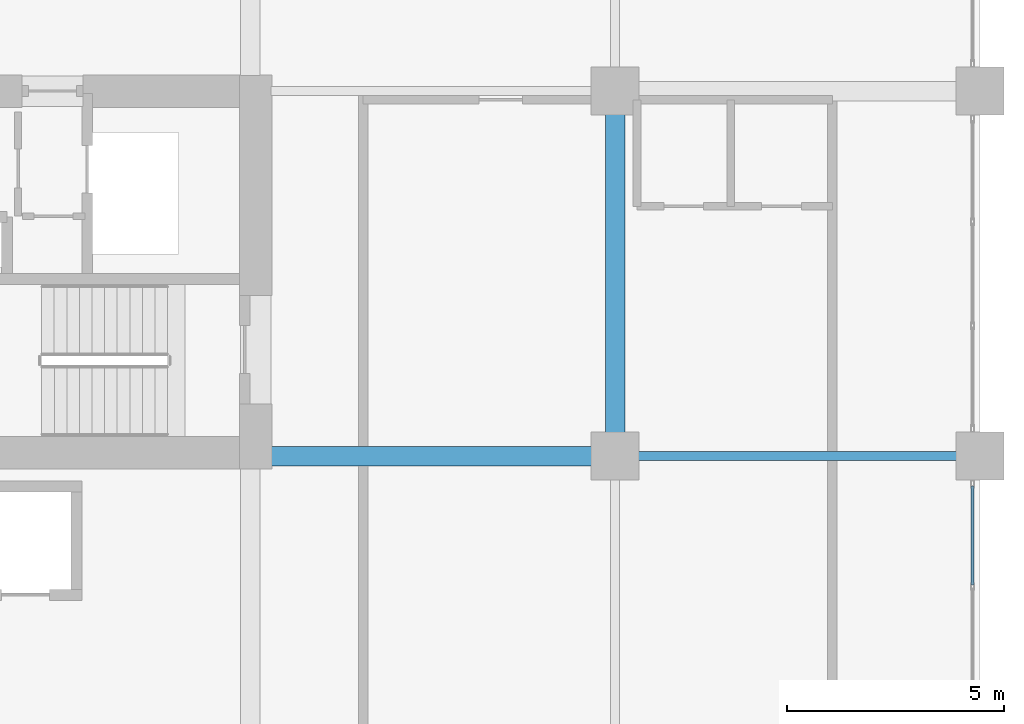
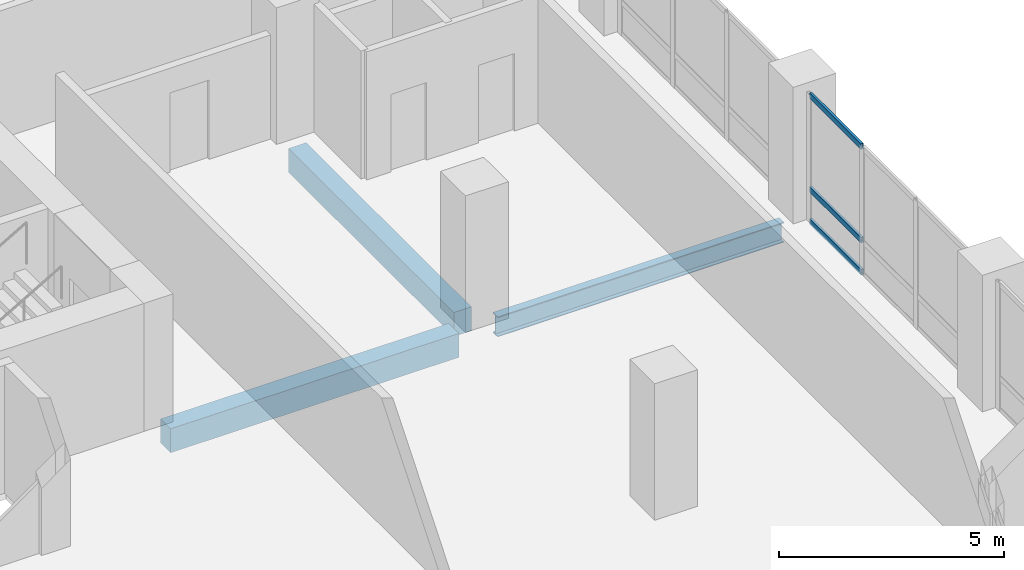
# One storey, part 5 of 22: 3 beams, 3 members, 1 element without a shape of its own.
"""IFC4 building model written with IfcOpenShell, lengths in metres."""

import ifcopenshell
import ifcopenshell.guid

model = None  # the IFC model being written
_history = None  # IfcOwnerHistory: only IFC2X3 demands one
_inside = {}  # id of a spatial element -> (the spatial element, [elements in it])
_under = {}  # id of a project, library or spatial element -> (it, [spatial elements below it])
_declared = {}  # id of a project -> (the project, [libraries it declares])
_typed = {}  # id of a type object -> (the type object, [elements of that type])
_made_of = {}  # id of a material, layer set ... -> (it, [elements and type objects made of it])


def new_model(schema):
    """Start an empty IFC model of exactly this schema.

    Asked for "IFC4X3", IfcOpenShell would pick the latest addendum, in which some entities
    have other attributes; the version numbers below select the first issue.
    IFC2X3 requires an IfcOwnerHistory on every rooted entity: one is made here for all.
    """
    global model, _history
    if schema == "IFC4X3":
        model = ifcopenshell.file(schema_version=(4, 3, 0, 0))
    else:
        model = ifcopenshell.file(schema=schema)
    _inside.clear()
    _under.clear()
    _declared.clear()
    _typed.clear()
    _made_of.clear()
    _history = None
    if model.schema == "IFC2X3":
        org = make("IfcOrganization", Name="unknown")
        user = make(
            "IfcPersonAndOrganization",
            ThePerson=make("IfcPerson", FamilyName="unknown"),
            TheOrganization=org,
        )
        app = make(
            "IfcApplication",
            ApplicationDeveloper=org,
            Version="unknown",
            ApplicationFullName="unknown",
            ApplicationIdentifier="unknown",
        )
        _history = make(
            "IfcOwnerHistory",
            OwningUser=user,
            OwningApplication=app,
            ChangeAction="ADDED",
            CreationDate=0,
        )
    return model


def make(cls, **values):
    """One entity of the class cls with the attributes given. An attribute that is None is left unset."""
    return model.create_entity(
        cls, **{name: value for name, value in values.items() if value is not None}
    )


def rooted(cls, **values):
    """An entity with a GlobalId (a new one), such as an element, a storey or a relation."""
    return make(cls, GlobalId=ifcopenshell.guid.new(), OwnerHistory=_history, **values)


def si_unit(unit_type, name, prefix=None):
    """IfcSIUnit, for example si_unit("LENGTHUNIT", "METRE", prefix="MILLI")."""
    return make("IfcSIUnit", UnitType=unit_type, Prefix=prefix, Name=name)


def assignment(units):
    """IfcUnitAssignment: the units of a project."""
    return None if units is None else make("IfcUnitAssignment", Units=units)


def point(xyz):
    """IfcCartesianPoint."""
    return None if xyz is None else make("IfcCartesianPoint", Coordinates=xyz)


def direction(xyz):
    """IfcDirection."""
    return None if xyz is None else make("IfcDirection", DirectionRatios=xyz)


def frame(location, z_axis=None, x_axis=None):
    """IfcAxis2Placement3D, a coordinate frame: its origin and axes. An axis left out is left unset."""
    return make(
        "IfcAxis2Placement3D",
        Location=point(location),
        Axis=direction(z_axis),
        RefDirection=direction(x_axis),
    )


def frame_2d(location, x_axis=None):
    """IfcAxis2Placement2D, a coordinate frame in the plane: its origin and x axis."""
    return make(
        "IfcAxis2Placement2D", Location=point(location), RefDirection=direction(x_axis)
    )


def origin():
    """The frame at (0, 0, 0) with its axes left unset."""
    return frame((0.0, 0.0, 0.0))


def origin_2d():
    """The frame at (0, 0) in the plane with its x axis left unset."""
    return frame_2d((0.0, 0.0))


def place(relative_to, where):
    """IfcLocalPlacement: puts the frame where relative to a parent placement (None: the world)."""
    return make(
        "IfcLocalPlacement", PlacementRelTo=relative_to, RelativePlacement=where
    )


def context(
    kind, dimensions, precision=None, world=None, true_north=None, identifier=None
):
    """IfcGeometricRepresentationContext, for example the 3D "Model" context."""
    return make(
        "IfcGeometricRepresentationContext",
        ContextIdentifier=identifier,
        ContextType=kind,
        CoordinateSpaceDimension=dimensions,
        Precision=precision,
        WorldCoordinateSystem=world,
        TrueNorth=true_north,
    )


def subcontext(parent, identifier, kind, view, scale=None):
    """IfcGeometricRepresentationSubContext, for example "Body" below "Model"."""
    return make(
        "IfcGeometricRepresentationSubContext",
        ContextIdentifier=identifier,
        ContextType=kind,
        ParentContext=parent,
        TargetScale=scale,
        TargetView=view,
    )


def project(units=None, contexts=None):
    """IfcProject with its units and contexts."""
    return rooted(
        "IfcProject",
        Name="project",
        RepresentationContexts=contexts,
        UnitsInContext=assignment(units),
    )


def spatial(cls, under=None, at=None, **own):
    """A site, building, storey or space (cls), placed at a placement, below another one or the project."""
    s = rooted(cls, ObjectPlacement=at, **own)
    if under is not None:
        _under.setdefault(under.id(), (under, []))[1].append(s)
    return s


def profile(cls, at=None, kind="AREA", **sizes):
    """A parametric profile (cls). Its sizes go by their IFC names, for example OverallWidth=200.0."""
    return make(cls, ProfileType=kind, Position=at, **sizes)


def rectangle(**sizes):
    """IfcRectangleProfileDef."""
    return profile("IfcRectangleProfileDef", **sizes)


def hollow_rectangle(**sizes):
    """IfcRectangleHollowProfileDef."""
    return profile("IfcRectangleHollowProfileDef", **sizes)


def i_section(**sizes):
    """IfcIShapeProfileDef."""
    return profile("IfcIShapeProfileDef", **sizes)


def extrude(swept, where, along, depth):
    """IfcExtrudedAreaSolid: the profile swept, set in the frame where, extruded along a direction by depth."""
    return make(
        "IfcExtrudedAreaSolid",
        SweptArea=swept,
        Position=where,
        ExtrudedDirection=direction(along),
        Depth=depth,
    )


def shape(context_of_items, identifier, shape_type, items):
    """IfcShapeRepresentation: the items that make up one representation, for example the "Body"."""
    return make(
        "IfcShapeRepresentation",
        ContextOfItems=context_of_items,
        RepresentationIdentifier=identifier,
        RepresentationType=shape_type,
        Items=items,
    )


def material(Name=None, Category=None):
    """IfcMaterial."""
    return make("IfcMaterial", Name=Name, Category=Category)


def layer(
    of_material, thickness, ventilated=None, Name=None, Category=None, Priority=None
):
    """IfcMaterialLayer: one layer of a wall or slab, of a material (None: an air gap)."""
    return make(
        "IfcMaterialLayer",
        Material=of_material,
        LayerThickness=thickness,
        IsVentilated=ventilated,
        Name=Name,
        Category=Category,
        Priority=Priority,
    )


def layer_set(layers, Name=None):
    """IfcMaterialLayerSet."""
    return make("IfcMaterialLayerSet", MaterialLayers=layers, LayerSetName=Name)


def material_profile(
    of_material, cross_section, Name=None, Category=None, Priority=None
):
    """IfcMaterialProfile: a cross section and its material."""
    return make(
        "IfcMaterialProfile",
        Name=Name,
        Material=of_material,
        Profile=cross_section,
        Priority=Priority,
        Category=Category,
    )


def profile_set(profiles, Name=None, composite=None):
    """IfcMaterialProfileSet."""
    return make(
        "IfcMaterialProfileSet",
        Name=Name,
        MaterialProfiles=profiles,
        CompositeProfile=composite,
    )


def made_of(thing, what):
    """Note that an element or type object is made of a material, layer set ...; save() writes the relation."""
    if what is not None:
        _made_of.setdefault(what.id(), (what, []))[1].append(thing)
    return thing


def type_object(cls, material=None, **own):
    """A type object (cls), such as IfcWallType, which elements share."""
    return made_of(rooted(cls, **own), material)


def element(
    cls,
    number,
    at=None,
    inside=None,
    cuts=None,
    type_object=None,
    material=None,
    context=None,
    identifier="Body",
    shape_type=None,
    held_by="IfcProductDefinitionShape",
    body=None,
    shapes=None,
    **own,
):
    """One element of the class cls, such as IfcWall. Its Tag is "e" and its number.

    at: its placement. inside: the storey or other place that contains it. cuts: it is an
    opening in that element (IfcRelVoidsElement). A single representation is given by context,
    identifier, shape_type and body (its items); several are given by shapes. held_by: the class
    of the entity that holds the representations. save() writes the other relations.
    """
    e = rooted(cls, Tag="e%d" % number, ObjectPlacement=at, **own)
    if body is not None:
        shapes = [shape(context, identifier, shape_type, body)]
    if shapes is not None:
        e.Representation = make(held_by, Representations=shapes)
    if inside is not None:
        _inside.setdefault(inside.id(), (inside, []))[1].append(e)
    if cuts is not None:
        rooted(
            "IfcRelVoidsElement", RelatingBuildingElement=cuts, RelatedOpeningElement=e
        )
    if type_object is not None:
        _typed.setdefault(type_object.id(), (type_object, []))[1].append(e)
    return made_of(e, material)


def aggregate(whole, parts):
    """IfcRelAggregates: a whole, such as a stair, and the parts it consists of."""
    return rooted("IfcRelAggregates", RelatingObject=whole, RelatedObjects=parts)


def save(model, path):
    """Write the relations noted so far, then the file.

    IfcRelAggregates (storeys below a building ...), IfcRelContainedInSpatialStructure (elements
    in a storey), IfcRelDefinesByType, IfcRelAssociatesMaterial and IfcRelDeclares: one each for
    every whole, place, type object, material and project.
    """
    for whole, parts in _under.values():
        aggregate(whole, parts)
    for where, things in _inside.values():
        rooted(
            "IfcRelContainedInSpatialStructure",
            RelatedElements=things,
            RelatingStructure=where,
        )
    for kind, things in _typed.values():
        rooted("IfcRelDefinesByType", RelatedObjects=things, RelatingType=kind)
    for what, things in _made_of.values():
        rooted("IfcRelAssociatesMaterial", RelatedObjects=things, RelatingMaterial=what)
    for by, libraries in _declared.values():
        rooted("IfcRelDeclares", RelatingContext=by, RelatedDefinitions=libraries)
    model.write(path)


model = new_model("IFC4")

# Units and contexts
model_context = context("Model", 3, precision=1e-05, world=origin(), true_north=direction((0.0, 1.0)))
body_context = subcontext(model_context, "Body", "Model", "MODEL_VIEW")
ifc_project = project(units=[si_unit("LENGTHUNIT", "METRE"), si_unit("AREAUNIT", "SQUARE_METRE"), si_unit("VOLUMEUNIT", "CUBIC_METRE"), si_unit("PLANEANGLEUNIT", "RADIAN"), si_unit("MASSUNIT", "GRAM", prefix="KILO")], contexts=[model_context])

# Site, building, storey
site_placement = place(None, origin())
site = spatial("IfcSite", under=ifc_project, at=site_placement, CompositionType="ELEMENT")
building_placement = place(site_placement, origin())
building = spatial("IfcBuilding", under=site, at=building_placement, Name="Koriwani Terraces Tower", CompositionType="ELEMENT")
storey_placement = place(building_placement, frame((0.0, 0.0, 168.0)))
storey = spatial("IfcBuildingStorey", under=building, at=storey_placement, Name="L40", CompositionType="ELEMENT", Elevation=168.0)

# Beams
ifc_material_1 = material(Name="Concrete C50/60", Category="concrete")
ifc_material_profile_1 = material_profile(ifc_material_1, rectangle(XDim=0.449951171875, YDim=0.64990234375, at=origin_2d()), Name="Concrete C50/60", Category="LoadBearing")
ifc_profile_set_1 = profile_set([ifc_material_profile_1], Name="Concrete C50/60")
beam_type_1 = type_object("IfcBeamType", Name="BEAM_RC_GRID_450X650", PredefinedType="BEAM", material=ifc_profile_set_1)
beam_1_placement = place(storey_placement, frame((59.280029296875, 16.800048828125, -0.554931640625), z_axis=(1.0, 0.0, 0.0), x_axis=(0.0, 1.0, 0.0)))
element("IfcBeam", 1, at=beam_1_placement, inside=storey, type_object=beam_type_1, Name="L40 Grid Beam C (58.8-67.2m)", PredefinedType="BEAM", context=body_context, shape_type="SweptSolid", body=[
    extrude(rectangle(XDim=0.449951171875, YDim=0.64990234375, at=origin_2d()), origin(), (0.0, 0.0, 1.0), 7.389892578125),
])
beam_2_placement = place(storey_placement, frame((67.199951171875, 17.330078125, -0.554931640625), z_axis=(0.0, 1.0, 0.0), x_axis=(-1.0, 0.0, 0.0)))
element("IfcBeam", 2, at=beam_2_placement, inside=storey, type_object=beam_type_1, Name="L40 Grid Beam 9 (16.8-25.2m)", PredefinedType="BEAM", context=body_context, shape_type="SweptSolid", body=[
    extrude(rectangle(XDim=0.449951171875, YDim=0.64990234375, at=origin_2d()), origin(), (0.0, 0.0, 1.0), 7.33984375),
])

# Curtain wall, members
ifc_material_2 = material(Name="Anodised Bronze Aluminium", Category="aluminium")
ifc_layer = layer(ifc_material_2, 0.169921875, Name="Anodised Bronze Aluminium")
ifc_layer_set = layer_set([ifc_layer], Name="Anodised Bronze Aluminium")
curtain_wall_type = type_object("IfcCurtainWallType", Name="CW_RES_ZONE3", PredefinedType="NOTDEFINED", material=ifc_layer_set)
curtain_wall_placement = place(storey_placement, origin())
curtain_wall = element("IfcCurtainWall", 3, at=curtain_wall_placement, inside=storey, type_object=curtain_wall_type, Name="L40 Unitised Curtain Wall (E_TIP) Bay 3", PredefinedType="NOTDEFINED")
ifc_material_profile_2 = material_profile(ifc_material_2, hollow_rectangle(XDim=0.06494140625, YDim=0.14990234375, WallThickness=0.0048828125, at=origin_2d()), Name="Anodised Bronze Aluminium", Category="LoadBearing")
ifc_profile_set_2 = profile_set([ifc_material_profile_2], Name="Anodised Bronze Aluminium")
member_type = type_object("IfcMemberType", Name="CW_TRANSOM_150X65", PredefinedType="USERDEFINED", material=ifc_profile_set_2)
member_1_placement = place(storey_placement, frame((75.425048828125, 16.114990234375, 0.032470703125), z_axis=(0.0, -1.0, 0.0), x_axis=(1.0, 0.0, 0.0)))
member_1 = element("IfcMember", 4, at=member_1_placement, type_object=member_type, Name="CW-Z3 transom 1.1", ObjectType="TRANSOM", PredefinedType="USERDEFINED", context=body_context, shape_type="SweptSolid", body=[
    extrude(hollow_rectangle(XDim=0.06494140625, YDim=0.14990234375, WallThickness=0.0048828125, at=origin_2d()), origin(), (0.0, 0.0, 1.0), 2.28076171875),
])
member_2_placement = place(storey_placement, frame((75.425048828125, 16.114990234375, 0.89990234375), z_axis=(0.0, -1.0, 0.0), x_axis=(1.0, 0.0, 0.0)))
member_2 = element("IfcMember", 5, at=member_2_placement, type_object=member_type, Name="CW-Z3 transom 1.2", ObjectType="TRANSOM", PredefinedType="USERDEFINED", context=body_context, shape_type="SweptSolid", body=[
    extrude(hollow_rectangle(XDim=0.06494140625, YDim=0.14990234375, WallThickness=0.0048828125, at=origin_2d()), origin(), (0.0, 0.0, 1.0), 2.28076171875),
])
member_3_placement = place(storey_placement, frame((75.425048828125, 16.114990234375, 3.4375), z_axis=(0.0, -1.0, 0.0), x_axis=(1.0, 0.0, 0.0)))
member_3 = element("IfcMember", 6, at=member_3_placement, type_object=member_type, Name="CW-Z3 transom 1.3", ObjectType="TRANSOM", PredefinedType="USERDEFINED", context=body_context, shape_type="SweptSolid", body=[
    extrude(hollow_rectangle(XDim=0.06494140625, YDim=0.14990234375, WallThickness=0.0048828125, at=origin_2d()), origin(), (0.0, 0.0, 1.0), 2.28076171875),
])
aggregate(curtain_wall, [member_1, member_2, member_3])

# Beam
ifc_material_3 = material(Name="Steel ASTM A572 Grade 50", Category="steel")
ifc_material_profile_3 = material_profile(ifc_material_3, i_section(OverallWidth=0.2119140625, OverallDepth=0.54296875, WebThickness=0.0126953125, FlangeThickness=0.021240234375, at=origin_2d()), Name="Steel ASTM A572 Grade 50", Category="LoadBearing")
ifc_profile_set_3 = profile_set([ifc_material_profile_3], Name="Steel ASTM A572 Grade 50")
beam_type_2 = type_object("IfcBeamType", Name="STEEL_BEAM_W530X150", PredefinedType="BEAM", material=ifc_profile_set_3)
beam_3_placement = place(storey_placement, frame((67.72998046875, 16.800048828125, -0.50146484375), z_axis=(1.0, 0.0, 0.0), x_axis=(0.0, 1.0, 0.0)))
element("IfcBeam", 7, at=beam_3_placement, inside=storey, type_object=beam_type_2, Name="L40 Grid Beam C (67.2-75.6m)", PredefinedType="BEAM", context=body_context, shape_type="SweptSolid", body=[
    extrude(i_section(OverallWidth=0.2119140625, OverallDepth=0.54296875, WebThickness=0.0126953125, FlangeThickness=0.021240234375, at=origin_2d()), origin(), (0.0, 0.0, 1.0), 7.340087890625),
])

save(model, "model.ifc")
